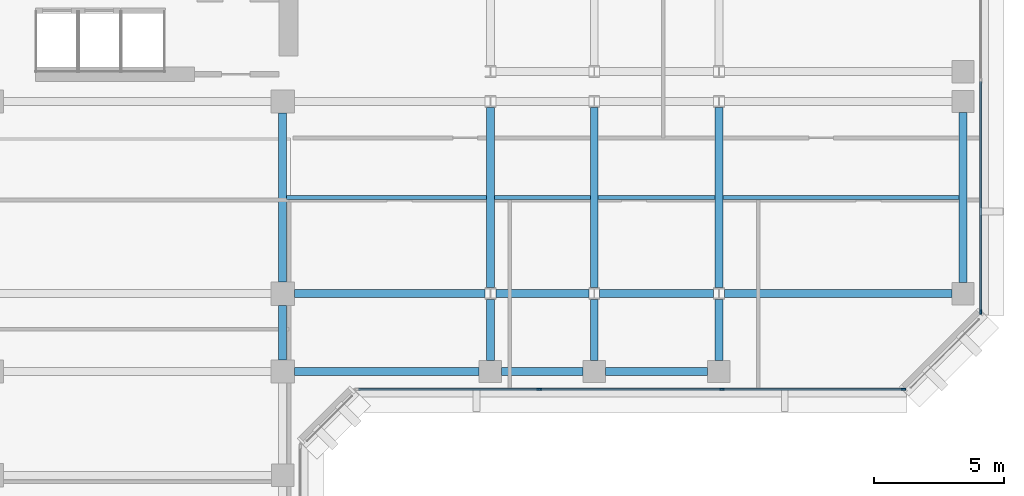
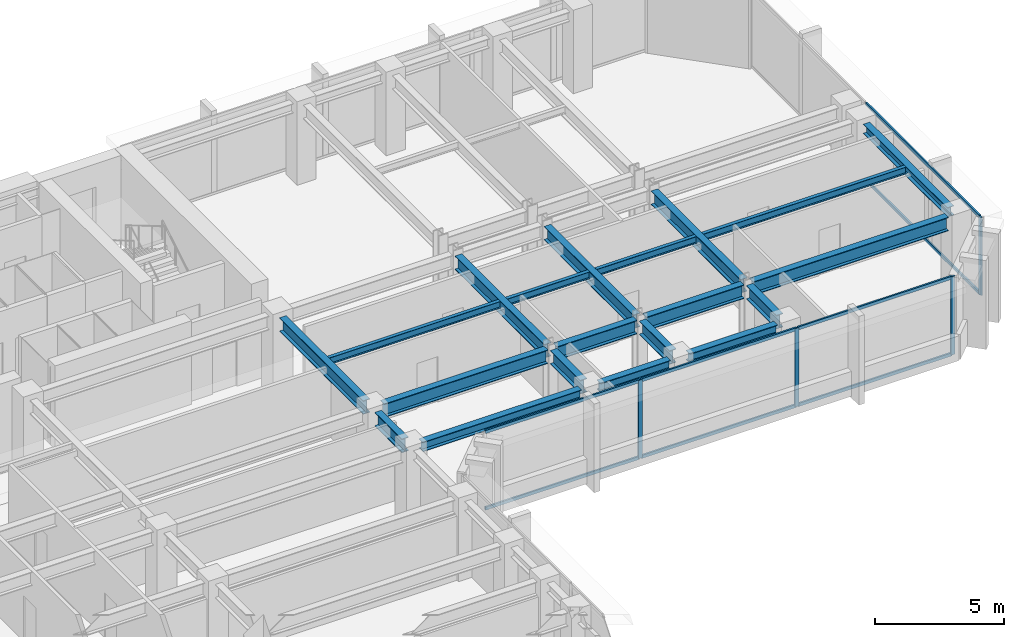
# One storey, part 3 of 11: 20 beams, 12 members, 2 elements without a shape of their own.
"""IFC4 building model written with IfcOpenShell, lengths in metres."""

import ifcopenshell
import ifcopenshell.guid

model = None  # the IFC model being written
_history = None  # IfcOwnerHistory: only IFC2X3 demands one
_inside = {}  # id of a spatial element -> (the spatial element, [elements in it])
_under = {}  # id of a project, library or spatial element -> (it, [spatial elements below it])
_declared = {}  # id of a project -> (the project, [libraries it declares])
_typed = {}  # id of a type object -> (the type object, [elements of that type])
_made_of = {}  # id of a material, layer set ... -> (it, [elements and type objects made of it])


def new_model(schema):
    """Start an empty IFC model of exactly this schema.

    Asked for "IFC4X3", IfcOpenShell would pick the latest addendum, in which some entities
    have other attributes; the version numbers below select the first issue.
    IFC2X3 requires an IfcOwnerHistory on every rooted entity: one is made here for all.
    """
    global model, _history
    if schema == "IFC4X3":
        model = ifcopenshell.file(schema_version=(4, 3, 0, 0))
    else:
        model = ifcopenshell.file(schema=schema)
    _inside.clear()
    _under.clear()
    _declared.clear()
    _typed.clear()
    _made_of.clear()
    _history = None
    if model.schema == "IFC2X3":
        org = make("IfcOrganization", Name="unknown")
        user = make(
            "IfcPersonAndOrganization",
            ThePerson=make("IfcPerson", FamilyName="unknown"),
            TheOrganization=org,
        )
        app = make(
            "IfcApplication",
            ApplicationDeveloper=org,
            Version="unknown",
            ApplicationFullName="unknown",
            ApplicationIdentifier="unknown",
        )
        _history = make(
            "IfcOwnerHistory",
            OwningUser=user,
            OwningApplication=app,
            ChangeAction="ADDED",
            CreationDate=0,
        )
    return model


def make(cls, **values):
    """One entity of the class cls with the attributes given. An attribute that is None is left unset."""
    return model.create_entity(
        cls, **{name: value for name, value in values.items() if value is not None}
    )


def rooted(cls, **values):
    """An entity with a GlobalId (a new one), such as an element, a storey or a relation."""
    return make(cls, GlobalId=ifcopenshell.guid.new(), OwnerHistory=_history, **values)


def si_unit(unit_type, name, prefix=None):
    """IfcSIUnit, for example si_unit("LENGTHUNIT", "METRE", prefix="MILLI")."""
    return make("IfcSIUnit", UnitType=unit_type, Prefix=prefix, Name=name)


def assignment(units):
    """IfcUnitAssignment: the units of a project."""
    return None if units is None else make("IfcUnitAssignment", Units=units)


def point(xyz):
    """IfcCartesianPoint."""
    return None if xyz is None else make("IfcCartesianPoint", Coordinates=xyz)


def direction(xyz):
    """IfcDirection."""
    return None if xyz is None else make("IfcDirection", DirectionRatios=xyz)


def frame(location, z_axis=None, x_axis=None):
    """IfcAxis2Placement3D, a coordinate frame: its origin and axes. An axis left out is left unset."""
    return make(
        "IfcAxis2Placement3D",
        Location=point(location),
        Axis=direction(z_axis),
        RefDirection=direction(x_axis),
    )


def frame_2d(location, x_axis=None):
    """IfcAxis2Placement2D, a coordinate frame in the plane: its origin and x axis."""
    return make(
        "IfcAxis2Placement2D", Location=point(location), RefDirection=direction(x_axis)
    )


def origin():
    """The frame at (0, 0, 0) with its axes left unset."""
    return frame((0.0, 0.0, 0.0))


def origin_2d():
    """The frame at (0, 0) in the plane with its x axis left unset."""
    return frame_2d((0.0, 0.0))


def place(relative_to, where):
    """IfcLocalPlacement: puts the frame where relative to a parent placement (None: the world)."""
    return make(
        "IfcLocalPlacement", PlacementRelTo=relative_to, RelativePlacement=where
    )


def context(
    kind, dimensions, precision=None, world=None, true_north=None, identifier=None
):
    """IfcGeometricRepresentationContext, for example the 3D "Model" context."""
    return make(
        "IfcGeometricRepresentationContext",
        ContextIdentifier=identifier,
        ContextType=kind,
        CoordinateSpaceDimension=dimensions,
        Precision=precision,
        WorldCoordinateSystem=world,
        TrueNorth=true_north,
    )


def subcontext(parent, identifier, kind, view, scale=None):
    """IfcGeometricRepresentationSubContext, for example "Body" below "Model"."""
    return make(
        "IfcGeometricRepresentationSubContext",
        ContextIdentifier=identifier,
        ContextType=kind,
        ParentContext=parent,
        TargetScale=scale,
        TargetView=view,
    )


def project(units=None, contexts=None):
    """IfcProject with its units and contexts."""
    return rooted(
        "IfcProject",
        Name="project",
        RepresentationContexts=contexts,
        UnitsInContext=assignment(units),
    )


def spatial(cls, under=None, at=None, **own):
    """A site, building, storey or space (cls), placed at a placement, below another one or the project."""
    s = rooted(cls, ObjectPlacement=at, **own)
    if under is not None:
        _under.setdefault(under.id(), (under, []))[1].append(s)
    return s


def profile(cls, at=None, kind="AREA", **sizes):
    """A parametric profile (cls). Its sizes go by their IFC names, for example OverallWidth=200.0."""
    return make(cls, ProfileType=kind, Position=at, **sizes)


def rectangle(**sizes):
    """IfcRectangleProfileDef."""
    return profile("IfcRectangleProfileDef", **sizes)


def i_section(**sizes):
    """IfcIShapeProfileDef."""
    return profile("IfcIShapeProfileDef", **sizes)


def extrude(swept, where, along, depth):
    """IfcExtrudedAreaSolid: the profile swept, set in the frame where, extruded along a direction by depth."""
    return make(
        "IfcExtrudedAreaSolid",
        SweptArea=swept,
        Position=where,
        ExtrudedDirection=direction(along),
        Depth=depth,
    )


def shape(context_of_items, identifier, shape_type, items):
    """IfcShapeRepresentation: the items that make up one representation, for example the "Body"."""
    return make(
        "IfcShapeRepresentation",
        ContextOfItems=context_of_items,
        RepresentationIdentifier=identifier,
        RepresentationType=shape_type,
        Items=items,
    )


def material(Name=None, Category=None):
    """IfcMaterial."""
    return make("IfcMaterial", Name=Name, Category=Category)


def layer(
    of_material, thickness, ventilated=None, Name=None, Category=None, Priority=None
):
    """IfcMaterialLayer: one layer of a wall or slab, of a material (None: an air gap)."""
    return make(
        "IfcMaterialLayer",
        Material=of_material,
        LayerThickness=thickness,
        IsVentilated=ventilated,
        Name=Name,
        Category=Category,
        Priority=Priority,
    )


def layer_set(layers, Name=None):
    """IfcMaterialLayerSet."""
    return make("IfcMaterialLayerSet", MaterialLayers=layers, LayerSetName=Name)


def material_profile(
    of_material, cross_section, Name=None, Category=None, Priority=None
):
    """IfcMaterialProfile: a cross section and its material."""
    return make(
        "IfcMaterialProfile",
        Name=Name,
        Material=of_material,
        Profile=cross_section,
        Priority=Priority,
        Category=Category,
    )


def profile_set(profiles, Name=None, composite=None):
    """IfcMaterialProfileSet."""
    return make(
        "IfcMaterialProfileSet",
        Name=Name,
        MaterialProfiles=profiles,
        CompositeProfile=composite,
    )


def made_of(thing, what):
    """Note that an element or type object is made of a material, layer set ...; save() writes the relation."""
    if what is not None:
        _made_of.setdefault(what.id(), (what, []))[1].append(thing)
    return thing


def type_object(cls, material=None, **own):
    """A type object (cls), such as IfcWallType, which elements share."""
    return made_of(rooted(cls, **own), material)


def element(
    cls,
    number,
    at=None,
    inside=None,
    cuts=None,
    type_object=None,
    material=None,
    context=None,
    identifier="Body",
    shape_type=None,
    held_by="IfcProductDefinitionShape",
    body=None,
    shapes=None,
    **own,
):
    """One element of the class cls, such as IfcWall. Its Tag is "e" and its number.

    at: its placement. inside: the storey or other place that contains it. cuts: it is an
    opening in that element (IfcRelVoidsElement). A single representation is given by context,
    identifier, shape_type and body (its items); several are given by shapes. held_by: the class
    of the entity that holds the representations. save() writes the other relations.
    """
    e = rooted(cls, Tag="e%d" % number, ObjectPlacement=at, **own)
    if body is not None:
        shapes = [shape(context, identifier, shape_type, body)]
    if shapes is not None:
        e.Representation = make(held_by, Representations=shapes)
    if inside is not None:
        _inside.setdefault(inside.id(), (inside, []))[1].append(e)
    if cuts is not None:
        rooted(
            "IfcRelVoidsElement", RelatingBuildingElement=cuts, RelatedOpeningElement=e
        )
    if type_object is not None:
        _typed.setdefault(type_object.id(), (type_object, []))[1].append(e)
    return made_of(e, material)


def aggregate(whole, parts):
    """IfcRelAggregates: a whole, such as a stair, and the parts it consists of."""
    return rooted("IfcRelAggregates", RelatingObject=whole, RelatedObjects=parts)


def save(model, path):
    """Write the relations noted so far, then the file.

    IfcRelAggregates (storeys below a building ...), IfcRelContainedInSpatialStructure (elements
    in a storey), IfcRelDefinesByType, IfcRelAssociatesMaterial and IfcRelDeclares: one each for
    every whole, place, type object, material and project.
    """
    for whole, parts in _under.values():
        aggregate(whole, parts)
    for where, things in _inside.values():
        rooted(
            "IfcRelContainedInSpatialStructure",
            RelatedElements=things,
            RelatingStructure=where,
        )
    for kind, things in _typed.values():
        rooted("IfcRelDefinesByType", RelatedObjects=things, RelatingType=kind)
    for what, things in _made_of.values():
        rooted("IfcRelAssociatesMaterial", RelatedObjects=things, RelatingMaterial=what)
    for by, libraries in _declared.values():
        rooted("IfcRelDeclares", RelatingContext=by, RelatedDefinitions=libraries)
    model.write(path)


model = new_model("IFC4")

# Units and contexts
model_context = context("Model", 3, precision=1e-05, world=origin(), true_north=direction((0.0, 1.0)))
body_context = subcontext(model_context, "Body", "Model", "MODEL_VIEW")
ifc_project = project(units=[si_unit("LENGTHUNIT", "METRE"), si_unit("AREAUNIT", "SQUARE_METRE"), si_unit("VOLUMEUNIT", "CUBIC_METRE"), si_unit("PLANEANGLEUNIT", "RADIAN"), si_unit("MASSUNIT", "GRAM", prefix="KILO")], contexts=[model_context])

# Site, building, storey
site_placement = place(None, origin())
site = spatial("IfcSite", under=ifc_project, at=site_placement, CompositionType="ELEMENT")
building_placement = place(site_placement, origin())
building = spatial("IfcBuilding", under=site, at=building_placement, Name="Kefirva Bronze Tower", CompositionType="ELEMENT")
storey_placement = place(building_placement, frame((0.0, 0.0, 142.889892578125)))
storey = spatial("IfcBuildingStorey", under=building, at=storey_placement, Name="L34", CompositionType="ELEMENT", Elevation=142.889892578125)

# Curtain wall, members
ifc_material_1 = material(Name="Bronze anodised aluminium", Category="aluminium")
ifc_layer = layer(ifc_material_1, 0.199951171875, Name="Bronze anodised aluminium")
ifc_layer_set = layer_set([ifc_layer], Name="Bronze anodised aluminium")
curtain_wall_type = type_object("IfcCurtainWallType", Name="Unitised Bronze Ribbon Curtain Wall Zone 2", PredefinedType="USERDEFINED", material=ifc_layer_set)
curtain_wall_1_placement = place(storey_placement, origin())
curtain_wall_1 = element("IfcCurtainWall", 1, at=curtain_wall_1_placement, inside=storey, type_object=curtain_wall_type, Name="L34 Curtain Wall 3", ObjectType="UNITISED CURTAIN WALL", PredefinedType="USERDEFINED")
ifc_material_profile_1 = material_profile(ifc_material_1, rectangle(XDim=0.074951171875, YDim=0.179931640625, at=origin_2d()), Name="ALU 75x180")
ifc_profile_set_1 = profile_set([ifc_material_profile_1], Name="Bronze anodised aluminium")
member_type_1 = type_object("IfcMemberType", Name="Bronze Mullion 75x180", PredefinedType="MULLION", material=ifc_profile_set_1)
member_1_placement = place(storey_placement, frame((33.0849609375, 22.1201171875, 0.0), z_axis=(0.0, 0.0, 1.0), x_axis=(0.0, 1.0, 0.0)))
member_1 = element("IfcMember", 2, at=member_1_placement, type_object=member_type_1, Name="CW-02 mullion 2", PredefinedType="MULLION", context=body_context, shape_type="SweptSolid", body=[
    extrude(rectangle(XDim=0.074951171875, YDim=0.179931640625, at=origin_2d()), origin(), (0.0, 0.0, 1.0), 3.710205078125),
])
member_2_placement = place(storey_placement, frame((40.114990234375, 22.1201171875, 0.0), z_axis=(0.0, 0.0, 1.0), x_axis=(0.0, 1.0, 0.0)))
member_2 = element("IfcMember", 3, at=member_2_placement, type_object=member_type_1, Name="CW-02 mullion 3", PredefinedType="MULLION", context=body_context, shape_type="SweptSolid", body=[
    extrude(rectangle(XDim=0.074951171875, YDim=0.179931640625, at=origin_2d()), origin(), (0.0, 0.0, 1.0), 3.710205078125),
])
member_3_placement = place(storey_placement, frame((47.107421875, 22.1201171875, 0.0), z_axis=(0.0, 0.0, 1.0), x_axis=(0.0, 1.0, 0.0)))
member_3 = element("IfcMember", 4, at=member_3_placement, type_object=member_type_1, Name="CW-02 mullion 4", PredefinedType="MULLION", context=body_context, shape_type="SweptSolid", body=[
    extrude(rectangle(XDim=0.074951171875, YDim=0.179931640625, at=origin_2d()), origin(), (0.0, 0.0, 1.0), 3.710205078125),
])

# Curtain wall, member
curtain_wall_2_placement = place(storey_placement, origin())
curtain_wall_2 = element("IfcCurtainWall", 5, at=curtain_wall_2_placement, inside=storey, type_object=curtain_wall_type, Name="L34 Curtain Wall 4", ObjectType="UNITISED CURTAIN WALL", PredefinedType="USERDEFINED")
member_4_placement = place(storey_placement, frame((50.080078125, 25.092529296875, 0.0), z_axis=(0.0, 0.0, 1.0), x_axis=(-1.0, 0.0, 0.0)))
member_4 = element("IfcMember", 6, at=member_4_placement, type_object=member_type_1, Name="CW-02 mullion 1", PredefinedType="MULLION", context=body_context, shape_type="SweptSolid", body=[
    extrude(rectangle(XDim=0.074951171875, YDim=0.179931640625, at=origin_2d()), origin(), (0.0, 0.0, 1.0), 3.710205078125),
])

# Member
ifc_material_profile_2 = material_profile(ifc_material_1, rectangle(XDim=0.074951171875, YDim=0.14990234375, at=origin_2d()), Name="ALU 75x150")
ifc_profile_set_2 = profile_set([ifc_material_profile_2], Name="Bronze anodised aluminium")
member_type_2 = type_object("IfcMemberType", Name="Bronze Transom 75x150", PredefinedType="USERDEFINED", material=ifc_profile_set_2)
member_5_placement = place(storey_placement, frame((26.1298828125, 22.1201171875, 0.03759765625), z_axis=(1.0, 0.0, 0.0), x_axis=(0.0, 1.0, 0.0)))
member_5 = element("IfcMember", 7, at=member_5_placement, type_object=member_type_2, Name="CW-02 transom 1.1", ObjectType="TRANSOM", PredefinedType="USERDEFINED", context=body_context, shape_type="SweptSolid", body=[
    extrude(rectangle(XDim=0.074951171875, YDim=0.14990234375, at=origin_2d()), origin(), (0.0, 0.0, 1.0), 6.917724609375),
])

member_6_placement = place(storey_placement, frame((26.1298828125, 22.1201171875, 3.672607421875), z_axis=(1.0, 0.0, 0.0), x_axis=(0.0, 1.0, 0.0)))
member_6 = element("IfcMember", 8, at=member_6_placement, type_object=member_type_2, Name="CW-02 transom 1.2", ObjectType="TRANSOM", PredefinedType="USERDEFINED", context=body_context, shape_type="SweptSolid", body=[
    extrude(rectangle(XDim=0.074951171875, YDim=0.14990234375, at=origin_2d()), origin(), (0.0, 0.0, 1.0), 6.917724609375),
])

member_7_placement = place(storey_placement, frame((33.12255859375, 22.1201171875, 0.03759765625), z_axis=(1.0, 0.0, 0.0), x_axis=(0.0, 1.0, 0.0)))
member_7 = element("IfcMember", 9, at=member_7_placement, type_object=member_type_2, Name="CW-02 transom 2.1", ObjectType="TRANSOM", PredefinedType="USERDEFINED", context=body_context, shape_type="SweptSolid", body=[
    extrude(rectangle(XDim=0.074951171875, YDim=0.14990234375, at=origin_2d()), origin(), (0.0, 0.0, 1.0), 6.954833984375),
])

member_8_placement = place(storey_placement, frame((33.12255859375, 22.1201171875, 3.672607421875), z_axis=(1.0, 0.0, 0.0), x_axis=(0.0, 1.0, 0.0)))
member_8 = element("IfcMember", 10, at=member_8_placement, type_object=member_type_2, Name="CW-02 transom 2.2", ObjectType="TRANSOM", PredefinedType="USERDEFINED", context=body_context, shape_type="SweptSolid", body=[
    extrude(rectangle(XDim=0.074951171875, YDim=0.14990234375, at=origin_2d()), origin(), (0.0, 0.0, 1.0), 6.954833984375),
])

member_9_placement = place(storey_placement, frame((40.152587890625, 22.1201171875, 0.03759765625), z_axis=(1.0, 0.0, 0.0), x_axis=(0.0, 1.0, 0.0)))
member_9 = element("IfcMember", 11, at=member_9_placement, type_object=member_type_2, Name="CW-02 transom 3.1", ObjectType="TRANSOM", PredefinedType="USERDEFINED", context=body_context, shape_type="SweptSolid", body=[
    extrude(rectangle(XDim=0.074951171875, YDim=0.14990234375, at=origin_2d()), origin(), (0.0, 0.0, 1.0), 6.91748046875),
])

member_10_placement = place(storey_placement, frame((40.152587890625, 22.1201171875, 3.672607421875), z_axis=(1.0, 0.0, 0.0), x_axis=(0.0, 1.0, 0.0)))
member_10 = element("IfcMember", 12, at=member_10_placement, type_object=member_type_2, Name="CW-02 transom 3.2", ObjectType="TRANSOM", PredefinedType="USERDEFINED", context=body_context, shape_type="SweptSolid", body=[
    extrude(rectangle(XDim=0.074951171875, YDim=0.14990234375, at=origin_2d()), origin(), (0.0, 0.0, 1.0), 6.91748046875),
])

aggregate(curtain_wall_1, [member_1, member_2, member_3, member_5, member_6, member_7, member_8, member_9, member_10])

member_11_placement = place(storey_placement, frame((50.080078125, 25.1298828125, 0.03759765625), z_axis=(0.0, 1.0, 0.0), x_axis=(-1.0, 0.0, 0.0)))
member_11 = element("IfcMember", 13, at=member_11_placement, type_object=member_type_2, Name="CW-02 transom 1.1", ObjectType="TRANSOM", PredefinedType="USERDEFINED", context=body_context, shape_type="SweptSolid", body=[
    extrude(rectangle(XDim=0.074951171875, YDim=0.14990234375, at=origin_2d()), origin(), (0.0, 0.0, 1.0), 8.83251953125),
])

member_12_placement = place(storey_placement, frame((50.080078125, 25.1298828125, 3.672607421875), z_axis=(0.0, 1.0, 0.0), x_axis=(-1.0, 0.0, 0.0)))
member_12 = element("IfcMember", 14, at=member_12_placement, type_object=member_type_2, Name="CW-02 transom 1.2", ObjectType="TRANSOM", PredefinedType="USERDEFINED", context=body_context, shape_type="SweptSolid", body=[
    extrude(rectangle(XDim=0.074951171875, YDim=0.14990234375, at=origin_2d()), origin(), (0.0, 0.0, 1.0), 8.83251953125),
])

aggregate(curtain_wall_2, [member_4, member_11, member_12])

# Beams
ifc_material_2 = material(Name="Steel S355", Category="steel")
ifc_material_profile_3 = material_profile(ifc_material_2, i_section(OverallWidth=0.159912109375, OverallDepth=0.330078125, WebThickness=0.007568359375, FlangeThickness=0.011474609375, at=origin_2d()), Name="IPE 330")
ifc_profile_set_3 = profile_set([ifc_material_profile_3], Name="Steel S355")
beam_type_1 = type_object("IfcBeamType", Name="Steel Floor Joist IPE 330", PredefinedType="JOIST", material=ifc_profile_set_3)
beam_1_placement = place(storey_placement, frame((23.35009765625, 29.5, 3.545166015625), z_axis=(1.0, 0.0, 0.0), x_axis=(0.0, 1.0, 0.0)))
element("IfcBeam", 15, at=beam_1_placement, inside=storey, type_object=beam_type_1, Name="L34 JST-L34-23-295", PredefinedType="JOIST", context=body_context, shape_type="SweptSolid", body=[
    extrude(i_section(OverallWidth=0.159912109375, OverallDepth=0.330078125, WebThickness=0.007568359375, FlangeThickness=0.011474609375, at=origin_2d()), origin(), (0.0, 0.0, 1.0), 7.699951171875),
])
beam_2_placement = place(storey_placement, frame((31.35009765625, 29.5, 3.545166015625), z_axis=(1.0, 0.0, 0.0), x_axis=(0.0, 1.0, 0.0)))
element("IfcBeam", 16, at=beam_2_placement, inside=storey, type_object=beam_type_1, Name="L34 JST-L34-31-295", PredefinedType="JOIST", context=body_context, shape_type="SweptSolid", body=[
    extrude(i_section(OverallWidth=0.159912109375, OverallDepth=0.330078125, WebThickness=0.007568359375, FlangeThickness=0.011474609375, at=origin_2d()), origin(), (0.0, 0.0, 1.0), 3.699951171875),
])
beam_3_placement = place(storey_placement, frame((35.35009765625, 29.5, 3.545166015625), z_axis=(1.0, 0.0, 0.0), x_axis=(0.0, 1.0, 0.0)))
element("IfcBeam", 17, at=beam_3_placement, inside=storey, type_object=beam_type_1, Name="L34 JST-L34-35-295", PredefinedType="JOIST", context=body_context, shape_type="SweptSolid", body=[
    extrude(i_section(OverallWidth=0.159912109375, OverallDepth=0.330078125, WebThickness=0.007568359375, FlangeThickness=0.011474609375, at=origin_2d()), origin(), (0.0, 0.0, 1.0), 4.5),
])
beam_4_placement = place(storey_placement, frame((40.14990234375, 29.5, 3.545166015625), z_axis=(1.0, 0.0, 0.0), x_axis=(0.0, 1.0, 0.0)))
element("IfcBeam", 18, at=beam_4_placement, inside=storey, type_object=beam_type_1, Name="L34 JST-L34-40-295", PredefinedType="JOIST", context=body_context, shape_type="SweptSolid", body=[
    extrude(i_section(OverallWidth=0.159912109375, OverallDepth=0.330078125, WebThickness=0.007568359375, FlangeThickness=0.011474609375, at=origin_2d()), origin(), (0.0, 0.0, 1.0), 9.10009765625),
])
ifc_material_profile_4 = material_profile(ifc_material_2, i_section(OverallWidth=0.300048828125, OverallDepth=0.64990234375, WebThickness=0.01611328125, FlangeThickness=0.031005859375, at=origin_2d()), Name="HEB 650")
ifc_profile_set_4 = profile_set([ifc_material_profile_4], Name="Steel S355")
beam_type_2 = type_object("IfcBeamType", Name="Steel Girder HEB 650", PredefinedType="USERDEFINED", material=ifc_profile_set_4)
beam_5_placement = place(storey_placement, frame((23.64990234375, 25.800048828125, 3.385009765625), z_axis=(1.0, 0.0, 0.0), x_axis=(0.0, 1.0, 0.0)))
element("IfcBeam", 19, at=beam_5_placement, inside=storey, type_object=beam_type_2, Name="L34 BM-L34-EW-23-258", ObjectType="GIRDER", PredefinedType="USERDEFINED", context=body_context, shape_type="SweptSolid", body=[
    extrude(i_section(OverallWidth=0.300048828125, OverallDepth=0.64990234375, WebThickness=0.01611328125, FlangeThickness=0.031005859375, at=origin_2d()), origin(), (0.0, 0.0, 1.0), 7.341064453125),
])
beam_6_placement = place(storey_placement, frame((31.408935546875, 25.800048828125, 3.385009765625), z_axis=(1.0, 0.0, 0.0), x_axis=(0.0, 1.0, 0.0)))
element("IfcBeam", 20, at=beam_6_placement, inside=storey, type_object=beam_type_2, Name="L34 BM-L34-EW-31-258", ObjectType="GIRDER", PredefinedType="USERDEFINED", context=body_context, shape_type="SweptSolid", body=[
    extrude(i_section(OverallWidth=0.300048828125, OverallDepth=0.64990234375, WebThickness=0.01611328125, FlangeThickness=0.031005859375, at=origin_2d()), origin(), (0.0, 0.0, 1.0), 3.58203125),
])
beam_7_placement = place(storey_placement, frame((35.408935546875, 25.800048828125, 3.385009765625), z_axis=(1.0, 0.0, 0.0), x_axis=(0.0, 1.0, 0.0)))
element("IfcBeam", 21, at=beam_7_placement, inside=storey, type_object=beam_type_2, Name="L34 BM-L34-EW-35-258", ObjectType="GIRDER", PredefinedType="USERDEFINED", context=body_context, shape_type="SweptSolid", body=[
    extrude(i_section(OverallWidth=0.300048828125, OverallDepth=0.64990234375, WebThickness=0.01611328125, FlangeThickness=0.031005859375, at=origin_2d()), origin(), (0.0, 0.0, 1.0), 4.382080078125),
])
beam_8_placement = place(storey_placement, frame((40.208984375, 25.800048828125, 3.385009765625), z_axis=(1.0, 0.0, 0.0), x_axis=(0.0, 1.0, 0.0)))
element("IfcBeam", 22, at=beam_8_placement, inside=storey, type_object=beam_type_2, Name="L34 BM-L34-EW-40-258", ObjectType="GIRDER", PredefinedType="USERDEFINED", context=body_context, shape_type="SweptSolid", body=[
    extrude(i_section(OverallWidth=0.300048828125, OverallDepth=0.64990234375, WebThickness=0.01611328125, FlangeThickness=0.031005859375, at=origin_2d()), origin(), (0.0, 0.0, 1.0), 8.760986328125),
])
beam_9_placement = place(storey_placement, frame((23.199951171875, 23.25, 3.385009765625), z_axis=(0.0, 1.0, 0.0), x_axis=(-1.0, 0.0, 0.0)))
element("IfcBeam", 23, at=beam_9_placement, inside=storey, type_object=beam_type_2, Name="L34 BM-L34-NS-232-22", ObjectType="GIRDER", PredefinedType="USERDEFINED", context=body_context, shape_type="SweptSolid", body=[
    extrude(i_section(OverallWidth=0.300048828125, OverallDepth=0.64990234375, WebThickness=0.01611328125, FlangeThickness=0.031005859375, at=origin_2d()), origin(), (0.0, 0.0, 1.0), 2.10009765625),
])
beam_10_placement = place(storey_placement, frame((23.199951171875, 26.25, 3.385009765625), z_axis=(0.0, 1.0, 0.0), x_axis=(-1.0, 0.0, 0.0)))
element("IfcBeam", 24, at=beam_10_placement, inside=storey, type_object=beam_type_2, Name="L34 BM-L34-NS-232-25", ObjectType="GIRDER", PredefinedType="USERDEFINED", context=body_context, shape_type="SweptSolid", body=[
    extrude(i_section(OverallWidth=0.300048828125, OverallDepth=0.64990234375, WebThickness=0.01611328125, FlangeThickness=0.031005859375, at=origin_2d()), origin(), (0.0, 0.0, 1.0), 6.5),
])
beam_11_placement = place(storey_placement, frame((31.199951171875, 23.22998046875, 3.385009765625), z_axis=(0.0, 1.0, 0.0), x_axis=(-1.0, 0.0, 0.0)))
element("IfcBeam", 25, at=beam_11_placement, inside=storey, type_object=beam_type_2, Name="L34 BM-L34-NS-312-22", ObjectType="GIRDER", PredefinedType="USERDEFINED", context=body_context, shape_type="SweptSolid", body=[
    extrude(i_section(OverallWidth=0.300048828125, OverallDepth=0.64990234375, WebThickness=0.01611328125, FlangeThickness=0.031005859375, at=origin_2d()), origin(), (0.0, 0.0, 1.0), 2.342529296875),
])
beam_12_placement = place(storey_placement, frame((31.199951171875, 26.027587890625, 3.385009765625), z_axis=(0.0, 1.0, 0.0), x_axis=(-1.0, 0.0, 0.0)))
element("IfcBeam", 26, at=beam_12_placement, inside=storey, type_object=beam_type_2, Name="L34 BM-L34-NS-312-25", ObjectType="GIRDER", PredefinedType="USERDEFINED", context=body_context, shape_type="SweptSolid", body=[
    extrude(i_section(OverallWidth=0.300048828125, OverallDepth=0.64990234375, WebThickness=0.01611328125, FlangeThickness=0.031005859375, at=origin_2d()), origin(), (0.0, 0.0, 1.0), 6.94482421875),
])
beam_13_placement = place(storey_placement, frame((35.199951171875, 23.22998046875, 3.385009765625), z_axis=(0.0, 1.0, 0.0), x_axis=(-1.0, 0.0, 0.0)))
element("IfcBeam", 27, at=beam_13_placement, inside=storey, type_object=beam_type_2, Name="L34 BM-L34-NS-352-22", ObjectType="GIRDER", PredefinedType="USERDEFINED", context=body_context, shape_type="SweptSolid", body=[
    extrude(i_section(OverallWidth=0.300048828125, OverallDepth=0.64990234375, WebThickness=0.01611328125, FlangeThickness=0.031005859375, at=origin_2d()), origin(), (0.0, 0.0, 1.0), 2.342529296875),
])
beam_14_placement = place(storey_placement, frame((35.199951171875, 26.027587890625, 3.385009765625), z_axis=(0.0, 1.0, 0.0), x_axis=(-1.0, 0.0, 0.0)))
element("IfcBeam", 28, at=beam_14_placement, inside=storey, type_object=beam_type_2, Name="L34 BM-L34-NS-352-25", ObjectType="GIRDER", PredefinedType="USERDEFINED", context=body_context, shape_type="SweptSolid", body=[
    extrude(i_section(OverallWidth=0.300048828125, OverallDepth=0.64990234375, WebThickness=0.01611328125, FlangeThickness=0.031005859375, at=origin_2d()), origin(), (0.0, 0.0, 1.0), 6.94482421875),
])
beam_15_placement = place(storey_placement, frame((40.0, 23.22998046875, 3.385009765625), z_axis=(0.0, 1.0, 0.0), x_axis=(-1.0, 0.0, 0.0)))
element("IfcBeam", 29, at=beam_15_placement, inside=storey, type_object=beam_type_2, Name="L34 BM-L34-NS-400-22", ObjectType="GIRDER", PredefinedType="USERDEFINED", context=body_context, shape_type="SweptSolid", body=[
    extrude(i_section(OverallWidth=0.300048828125, OverallDepth=0.64990234375, WebThickness=0.01611328125, FlangeThickness=0.031005859375, at=origin_2d()), origin(), (0.0, 0.0, 1.0), 2.342529296875),
])
beam_16_placement = place(storey_placement, frame((40.0, 26.027587890625, 3.385009765625), z_axis=(0.0, 1.0, 0.0), x_axis=(-1.0, 0.0, 0.0)))
element("IfcBeam", 30, at=beam_16_placement, inside=storey, type_object=beam_type_2, Name="L34 BM-L34-NS-400-25", ObjectType="GIRDER", PredefinedType="USERDEFINED", context=body_context, shape_type="SweptSolid", body=[
    extrude(i_section(OverallWidth=0.300048828125, OverallDepth=0.64990234375, WebThickness=0.01611328125, FlangeThickness=0.031005859375, at=origin_2d()), origin(), (0.0, 0.0, 1.0), 6.94482421875),
])
ifc_material_profile_5 = material_profile(ifc_material_2, i_section(OverallWidth=0.300048828125, OverallDepth=0.449951171875, WebThickness=0.013916015625, FlangeThickness=0.02587890625, at=origin_2d()), Name="HEB 450")
ifc_profile_set_5 = profile_set([ifc_material_profile_5], Name="Steel S355")
beam_type_3 = type_object("IfcBeamType", Name="Steel Spandrel HEB 450 Ext", PredefinedType="SPANDREL", material=ifc_profile_set_5)
beam_17_placement = place(storey_placement, frame((23.64990234375, 22.800048828125, 3.485107421875), z_axis=(1.0, 0.0, 0.0), x_axis=(0.0, 1.0, 0.0)))
element("IfcBeam", 31, at=beam_17_placement, inside=storey, type_object=beam_type_3, Name="L34 BM-L34-EW-23-228", PredefinedType="SPANDREL", context=body_context, shape_type="SweptSolid", body=[
    extrude(i_section(OverallWidth=0.300048828125, OverallDepth=0.449951171875, WebThickness=0.013916015625, FlangeThickness=0.02587890625, at=origin_2d()), origin(), (0.0, 0.0, 1.0), 7.1201171875),
])
beam_18_placement = place(storey_placement, frame((31.6298828125, 22.800048828125, 3.485107421875), z_axis=(1.0, 0.0, 0.0), x_axis=(0.0, 1.0, 0.0)))
element("IfcBeam", 32, at=beam_18_placement, inside=storey, type_object=beam_type_3, Name="L34 BM-L34-EW-31-228", PredefinedType="SPANDREL", context=body_context, shape_type="SweptSolid", body=[
    extrude(i_section(OverallWidth=0.300048828125, OverallDepth=0.449951171875, WebThickness=0.013916015625, FlangeThickness=0.02587890625, at=origin_2d()), origin(), (0.0, 0.0, 1.0), 3.14013671875),
])
beam_19_placement = place(storey_placement, frame((35.6298828125, 22.800048828125, 3.485107421875), z_axis=(1.0, 0.0, 0.0), x_axis=(0.0, 1.0, 0.0)))
element("IfcBeam", 33, at=beam_19_placement, inside=storey, type_object=beam_type_3, Name="L34 BM-L34-EW-35-228", PredefinedType="SPANDREL", context=body_context, shape_type="SweptSolid", body=[
    extrude(i_section(OverallWidth=0.300048828125, OverallDepth=0.449951171875, WebThickness=0.013916015625, FlangeThickness=0.02587890625, at=origin_2d()), origin(), (0.0, 0.0, 1.0), 3.940185546875),
])
beam_20_placement = place(storey_placement, frame((49.39990234375, 26.22998046875, 3.485107421875), z_axis=(0.0, 1.0, 0.0), x_axis=(-1.0, 0.0, 0.0)))
element("IfcBeam", 34, at=beam_20_placement, inside=storey, type_object=beam_type_3, Name="L34 BM-L34-NS-494-25", PredefinedType="SPANDREL", context=body_context, shape_type="SweptSolid", body=[
    extrude(i_section(OverallWidth=0.300048828125, OverallDepth=0.449951171875, WebThickness=0.013916015625, FlangeThickness=0.02587890625, at=origin_2d()), origin(), (0.0, 0.0, 1.0), 6.5400390625),
])

save(model, "model.ifc")
